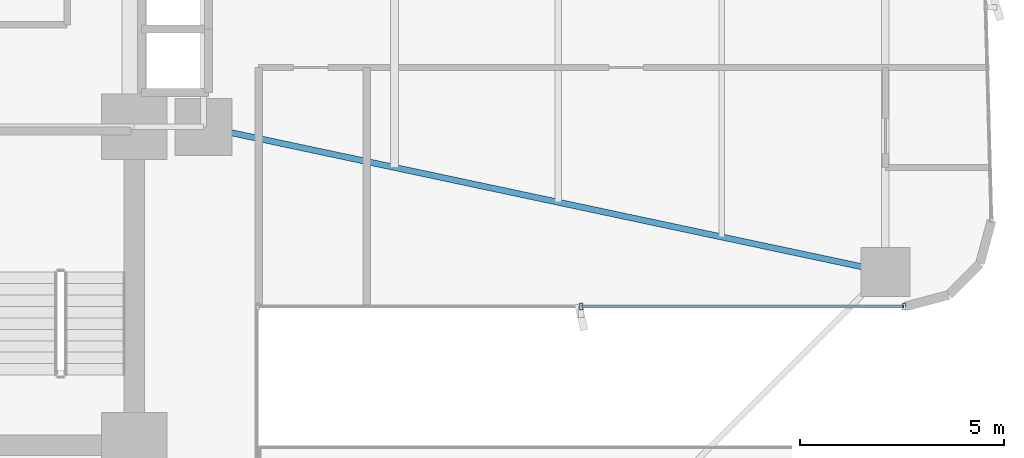
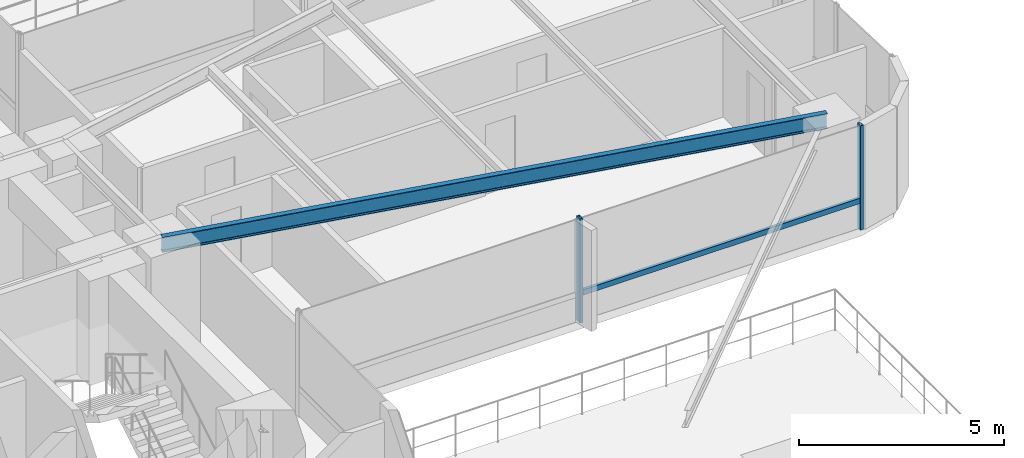
# One storey, part 13 of 27: 3 members, 1 beam, 1 element without a shape of its own.
"""IFC4 building model written with IfcOpenShell, lengths in metres."""

from ifc_helpers import new_model, si_unit, direction, frame, origin, origin_2d, place, context, subcontext, project, spatial, hollow_rectangle, i_section, extrude, source, transform, mapped, material, material_profile, profile_set, type_object, element, aggregate, save


model = new_model("IFC4")

# Units and contexts
model_context = context("Model", 3, precision=1e-05, world=origin(), true_north=direction((0.0, 1.0)))
body_context = subcontext(model_context, "Body", "Model", "MODEL_VIEW")
ifc_project = project(units=[si_unit("LENGTHUNIT", "METRE"), si_unit("AREAUNIT", "SQUARE_METRE"), si_unit("VOLUMEUNIT", "CUBIC_METRE"), si_unit("PLANEANGLEUNIT", "RADIAN"), si_unit("MASSUNIT", "GRAM", prefix="KILO")], contexts=[model_context])

# Site, building, storey
site_placement = place(None, origin())
site = spatial("IfcSite", under=ifc_project, at=site_placement, CompositionType="ELEMENT")
building_placement = place(site_placement, origin())
building = spatial("IfcBuilding", under=site, at=building_placement, Name="Sahyath Konkavel Grand Hotel", CompositionType="ELEMENT")
storey_placement = place(building_placement, frame((0.0, 0.0, 23.10009765625)))
storey = spatial("IfcBuildingStorey", under=building, at=storey_placement, Name="L05", CompositionType="ELEMENT", Elevation=23.10009765625)

# Beam
ifc_material_1 = material(Name="Steel E350", Category="steel")
ifc_material_profile_1 = material_profile(ifc_material_1, i_section(OverallWidth=0.14990234375, OverallDepth=0.449951171875, WebThickness=0.009521484375, FlangeThickness=0.017333984375, FilletRadius=0.014892578125, at=origin_2d()), Name="ISMB 450")
ifc_profile_set_1 = profile_set([ifc_material_profile_1], Name="Steel E350")
beam_type = type_object("IfcBeamType", Name="BM-ISMB450", PredefinedType="BEAM", material=ifc_profile_set_1)
shared_shape_1 = source(origin(), body_context, "Body", "SweptSolid", [
    extrude(i_section(OverallWidth=0.14990234375, OverallDepth=0.449951171875, WebThickness=0.009521484375, FlangeThickness=0.017333984375, FilletRadius=0.014892578125, at=origin_2d()), origin(), (0.0, 0.0, 1.0), 17.072998046875),
])
beam_placement = place(storey_placement, frame((5.5, -2.39990234375, 2.885009765625), z_axis=(0.978143257225, -0.20793212437, 0.0), x_axis=(0.20793212437, 0.978143257225, 0.0)))
element("IfcBeam", 1, at=beam_placement, inside=storey, type_object=beam_type, Name="L05 Cruciform Radial Girder EA", PredefinedType="BEAM", context=body_context, shape_type="MappedRepresentation", body=[
    mapped(shared_shape_1, transform((0.0, 0.0, 0.0), scale=1.0)),
])

# Curtain wall, members
ifc_material_2 = material(Name="Anodised Bronze Aluminium & Low-E Glazing", Category="aluminium")
curtain_wall_type = type_object("IfcCurtainWallType", Name="CW-ZONE1", PredefinedType="NOTDEFINED", material=ifc_material_2)
curtain_wall_placement = place(storey_placement, origin())
curtain_wall = element("IfcCurtainWall", 2, at=curtain_wall_placement, inside=storey, type_object=curtain_wall_type, Name="L05 Unitised Curtain Wall F0", PredefinedType="NOTDEFINED")
ifc_material_3 = material(Name="Anodised Bronze Aluminium", Category="aluminium")
ifc_material_profile_2 = material_profile(ifc_material_3, hollow_rectangle(XDim=0.080078125, YDim=0.159912109375, WallThickness=0.006103515625, at=origin_2d()), Name="RHS 160x80x6")
ifc_profile_set_2 = profile_set([ifc_material_profile_2], Name="Anodised Bronze Aluminium")
member_type_1 = type_object("IfcMemberType", Name="CW-MUL-160", PredefinedType="MULLION", material=ifc_profile_set_2)
shared_shape_2 = source(origin(), body_context, "Body", "SweptSolid", [
    extrude(hollow_rectangle(XDim=0.080078125, YDim=0.159912109375, WallThickness=0.006103515625, at=origin_2d()), origin(), (0.0, 0.0, 1.0), 3.10986328125),
])
member_1_placement = place(storey_placement, frame((14.75, -6.800048828125, 0.0), z_axis=(0.0, 0.0, 1.0), x_axis=(1.0, 0.0, 0.0)))
member_1 = element("IfcMember", 3, at=member_1_placement, type_object=member_type_1, Name="L05 Curtain Wall Mullion F0-1", PredefinedType="MULLION", context=body_context, shape_type="MappedRepresentation", body=[
    mapped(shared_shape_2, transform((0.0, 0.0, 0.0), scale=1.0)),
])
member_2_placement = place(storey_placement, frame((22.659912109375, -6.800048828125, 0.0), z_axis=(0.0, 0.0, 1.0), x_axis=(1.0, 0.0, 0.0)))
member_2 = element("IfcMember", 4, at=member_2_placement, type_object=member_type_1, Name="L05 Curtain Wall Mullion F0-2", PredefinedType="MULLION", context=body_context, shape_type="MappedRepresentation", body=[
    mapped(shared_shape_2, transform((0.0, 0.0, 0.0), scale=1.0)),
])
ifc_material_profile_3 = material_profile(ifc_material_3, hollow_rectangle(XDim=0.080078125, YDim=0.159912109375, WallThickness=0.006103515625, at=origin_2d()), Name="RHS 160x80x6")
ifc_profile_set_3 = profile_set([ifc_material_profile_3], Name="Anodised Bronze Aluminium")
member_type_2 = type_object("IfcMemberType", Name="CW-TRN-160", PredefinedType="USERDEFINED", material=ifc_profile_set_3)
shared_shape_3 = source(origin(), body_context, "Body", "SweptSolid", [
    extrude(hollow_rectangle(XDim=0.080078125, YDim=0.159912109375, WallThickness=0.006103515625, at=origin_2d()), origin(), (0.0, 0.0, 1.0), 7.909912109375),
])
member_3_placement = place(storey_placement, frame((14.75, -6.800048828125, 0.849853515625), z_axis=(1.0, 0.0, 0.0), x_axis=(0.0, 1.0, 0.0)))
member_3 = element("IfcMember", 5, at=member_3_placement, type_object=member_type_2, Name="L05 Curtain Wall Transom F0-1-spandrel", ObjectType="TRANSOM", PredefinedType="USERDEFINED", context=body_context, shape_type="MappedRepresentation", body=[
    mapped(shared_shape_3, transform((0.0, 0.0, 0.0), scale=1.0)),
])
aggregate(curtain_wall, [member_1, member_2, member_3])

save(model, "model.ifc")
